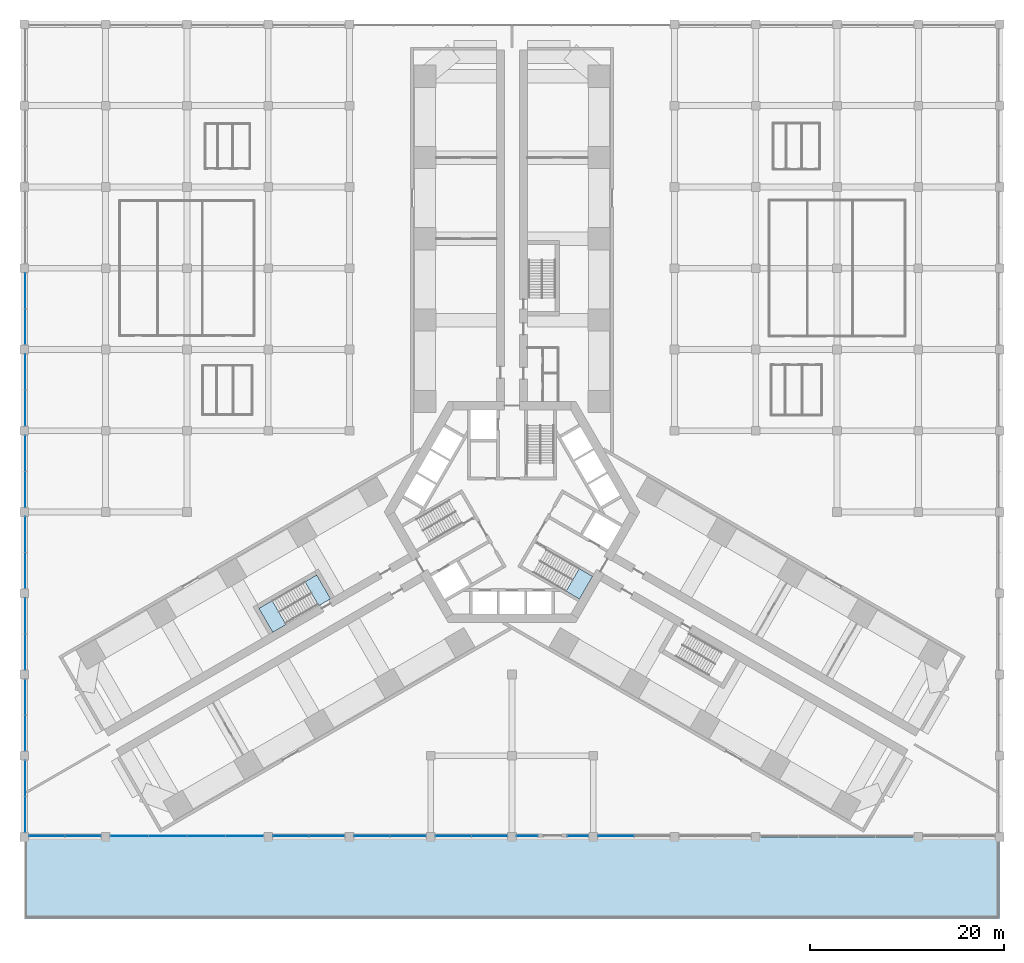
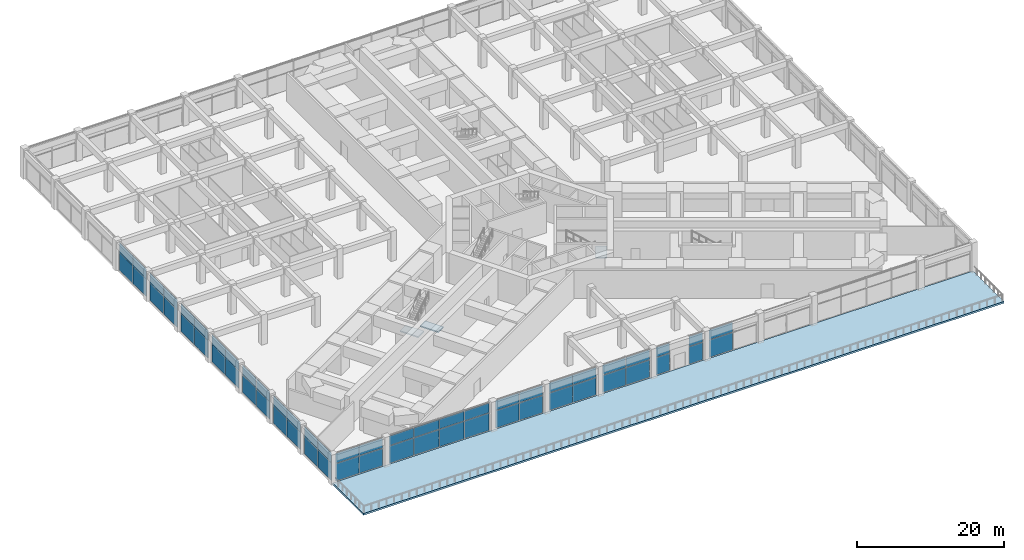
# One storey, part 24 of 36: 58 plates, 4 slabs, 17 elements without a shape of their own.
"""IFC4 building model written with IfcOpenShell, lengths in metres."""

from ifc_helpers import new_model, si_unit, direction, frame, origin, origin_2d, place, context, subcontext, project, spatial, polyline, rectangle, outline, extrude, material, layer, layer_set, type_object, element, aggregate, save


model = new_model("IFC4")

# Units and contexts
model_context = context("Model", 3, precision=1e-05, world=origin(), true_north=direction((0.0, 1.0)))
body_context = subcontext(model_context, "Body", "Model", "MODEL_VIEW")
ifc_project = project(units=[si_unit("LENGTHUNIT", "METRE"), si_unit("AREAUNIT", "SQUARE_METRE"), si_unit("VOLUMEUNIT", "CUBIC_METRE"), si_unit("PLANEANGLEUNIT", "RADIAN"), si_unit("MASSUNIT", "GRAM", prefix="KILO")], contexts=[model_context])

# Site, building, storey
site_placement = place(None, origin())
site = spatial("IfcSite", under=ifc_project, at=site_placement, CompositionType="ELEMENT")
building_placement = place(site_placement, origin())
building = spatial("IfcBuilding", under=site, at=building_placement, Name="Impinga Residences", CompositionType="ELEMENT")
storey_placement = place(building_placement, frame((0.0, 0.0, 6.0)))
storey = spatial("IfcBuildingStorey", under=building, at=storey_placement, Name="L01", CompositionType="ELEMENT", Elevation=6.0)

# Curtain wall, plates
ifc_material_1 = material(Name="Aluminium stick curtain wall", Category="aluminium")
curtain_wall_type = type_object("IfcCurtainWallType", Name="CW1 podium amenity curtain wall", PredefinedType="USERDEFINED", material=ifc_material_1)
curtain_wall_1_placement = place(storey_placement, origin())
curtain_wall_1 = element("IfcCurtainWall", 1, at=curtain_wall_1_placement, inside=storey, type_object=curtain_wall_type, Name="Curtain wall CW1 L01", ObjectType="STICK CURTAIN WALL", PredefinedType="USERDEFINED")
ifc_material_2 = material(Name="Clear double glazing", Category="glass")
ifc_layer_1 = layer(ifc_material_2, 0.028076171875)
ifc_layer_set_1 = layer_set([ifc_layer_1], Name="CW1-P clear double glazed panel 28")
plate_type = type_object("IfcPlateType", Name="CW1-P clear double glazed panel 28", PredefinedType="CURTAIN_PANEL", material=ifc_layer_set_1)
plate_1_placement = place(storey_placement, frame((-50.300048828125, -31.258544921875, 0.06005859375), z_axis=(0.0, 0.0, 1.0), x_axis=(0.0, 1.0, 0.0)))
plate_1 = element("IfcPlate", 2, at=plate_1_placement, type_object=plate_type, Name="CW1 panel 1.1", PredefinedType="CURTAIN_PANEL", context=body_context, shape_type="SweptSolid", body=[
    extrude(rectangle(XDim=3.656982421875, YDim=0.028076171875, at=origin_2d()), origin(), (0.0, 0.0, 1.0), 2.909912109375),
])
plate_2_placement = place(storey_placement, frame((-50.300048828125, -31.258544921875, 3.02978515625), z_axis=(0.0, 0.0, 1.0), x_axis=(0.0, 1.0, 0.0)))
plate_2 = element("IfcPlate", 3, at=plate_2_placement, type_object=plate_type, Name="CW1 panel 1.2", PredefinedType="CURTAIN_PANEL", context=body_context, shape_type="SweptSolid", body=[
    extrude(rectangle(XDim=3.656982421875, YDim=0.028076171875, at=origin_2d()), origin(), (0.0, 0.0, 1.0), 1.610107421875),
])
plate_3_placement = place(storey_placement, frame((-50.300048828125, -27.54150390625, 0.06005859375), z_axis=(0.0, 0.0, 1.0), x_axis=(0.0, 1.0, 0.0)))
plate_3 = element("IfcPlate", 4, at=plate_3_placement, type_object=plate_type, Name="CW1 panel 2.1", PredefinedType="CURTAIN_PANEL", context=body_context, shape_type="SweptSolid", body=[
    extrude(rectangle(XDim=3.656982421875, YDim=0.028076171875, at=origin_2d()), origin(), (0.0, 0.0, 1.0), 2.909912109375),
])
plate_4_placement = place(storey_placement, frame((-50.300048828125, -27.54150390625, 3.02978515625), z_axis=(0.0, 0.0, 1.0), x_axis=(0.0, 1.0, 0.0)))
plate_4 = element("IfcPlate", 5, at=plate_4_placement, type_object=plate_type, Name="CW1 panel 2.2", PredefinedType="CURTAIN_PANEL", context=body_context, shape_type="SweptSolid", body=[
    extrude(rectangle(XDim=3.656982421875, YDim=0.028076171875, at=origin_2d()), origin(), (0.0, 0.0, 1.0), 1.610107421875),
])
aggregate(curtain_wall_1, [plate_1, plate_2, plate_3, plate_4])

curtain_wall_2_placement = place(storey_placement, origin())
curtain_wall_2 = element("IfcCurtainWall", 6, at=curtain_wall_2_placement, inside=storey, type_object=curtain_wall_type, Name="Curtain wall CW1 L01", ObjectType="STICK CURTAIN WALL", PredefinedType="USERDEFINED")
plate_5_placement = place(storey_placement, frame((-50.300048828125, -22.8583984375, 0.06005859375), z_axis=(0.0, 0.0, 1.0), x_axis=(0.0, 1.0, 0.0)))
plate_5 = element("IfcPlate", 7, at=plate_5_placement, type_object=plate_type, Name="CW1 panel 1.1", PredefinedType="CURTAIN_PANEL", context=body_context, shape_type="SweptSolid", body=[
    extrude(rectangle(XDim=3.656982421875, YDim=0.028076171875, at=origin_2d()), origin(), (0.0, 0.0, 1.0), 2.909912109375),
])
plate_6_placement = place(storey_placement, frame((-50.300048828125, -22.8583984375, 3.02978515625), z_axis=(0.0, 0.0, 1.0), x_axis=(0.0, 1.0, 0.0)))
plate_6 = element("IfcPlate", 8, at=plate_6_placement, type_object=plate_type, Name="CW1 panel 1.2", PredefinedType="CURTAIN_PANEL", context=body_context, shape_type="SweptSolid", body=[
    extrude(rectangle(XDim=3.656982421875, YDim=0.028076171875, at=origin_2d()), origin(), (0.0, 0.0, 1.0), 1.610107421875),
])
plate_7_placement = place(storey_placement, frame((-50.300048828125, -19.1416015625, 0.06005859375), z_axis=(0.0, 0.0, 1.0), x_axis=(0.0, 1.0, 0.0)))
plate_7 = element("IfcPlate", 9, at=plate_7_placement, type_object=plate_type, Name="CW1 panel 2.1", PredefinedType="CURTAIN_PANEL", context=body_context, shape_type="SweptSolid", body=[
    extrude(rectangle(XDim=3.656982421875, YDim=0.028076171875, at=origin_2d()), origin(), (0.0, 0.0, 1.0), 2.909912109375),
])
plate_8_placement = place(storey_placement, frame((-50.300048828125, -19.1416015625, 3.02978515625), z_axis=(0.0, 0.0, 1.0), x_axis=(0.0, 1.0, 0.0)))
plate_8 = element("IfcPlate", 10, at=plate_8_placement, type_object=plate_type, Name="CW1 panel 2.2", PredefinedType="CURTAIN_PANEL", context=body_context, shape_type="SweptSolid", body=[
    extrude(rectangle(XDim=3.656982421875, YDim=0.028076171875, at=origin_2d()), origin(), (0.0, 0.0, 1.0), 1.610107421875),
])
aggregate(curtain_wall_2, [plate_5, plate_6, plate_7, plate_8])

curtain_wall_3_placement = place(storey_placement, origin())
curtain_wall_3 = element("IfcCurtainWall", 11, at=curtain_wall_3_placement, inside=storey, type_object=curtain_wall_type, Name="Curtain wall CW1 L01", ObjectType="STICK CURTAIN WALL", PredefinedType="USERDEFINED")
plate_9_placement = place(storey_placement, frame((-50.300048828125, -14.45849609375, 0.06005859375), z_axis=(0.0, 0.0, 1.0), x_axis=(0.0, 1.0, 0.0)))
plate_9 = element("IfcPlate", 12, at=plate_9_placement, type_object=plate_type, Name="CW1 panel 1.1", PredefinedType="CURTAIN_PANEL", context=body_context, shape_type="SweptSolid", body=[
    extrude(rectangle(XDim=3.656982421875, YDim=0.028076171875, at=origin_2d()), origin(), (0.0, 0.0, 1.0), 2.909912109375),
])
plate_10_placement = place(storey_placement, frame((-50.300048828125, -14.45849609375, 3.02978515625), z_axis=(0.0, 0.0, 1.0), x_axis=(0.0, 1.0, 0.0)))
plate_10 = element("IfcPlate", 13, at=plate_10_placement, type_object=plate_type, Name="CW1 panel 1.2", PredefinedType="CURTAIN_PANEL", context=body_context, shape_type="SweptSolid", body=[
    extrude(rectangle(XDim=3.656982421875, YDim=0.028076171875, at=origin_2d()), origin(), (0.0, 0.0, 1.0), 1.610107421875),
])
plate_11_placement = place(storey_placement, frame((-50.300048828125, -10.741455078125, 0.06005859375), z_axis=(0.0, 0.0, 1.0), x_axis=(0.0, 1.0, 0.0)))
plate_11 = element("IfcPlate", 14, at=plate_11_placement, type_object=plate_type, Name="CW1 panel 2.1", PredefinedType="CURTAIN_PANEL", context=body_context, shape_type="SweptSolid", body=[
    extrude(rectangle(XDim=3.656982421875, YDim=0.028076171875, at=origin_2d()), origin(), (0.0, 0.0, 1.0), 2.909912109375),
])
plate_12_placement = place(storey_placement, frame((-50.300048828125, -10.741455078125, 3.02978515625), z_axis=(0.0, 0.0, 1.0), x_axis=(0.0, 1.0, 0.0)))
plate_12 = element("IfcPlate", 15, at=plate_12_placement, type_object=plate_type, Name="CW1 panel 2.2", PredefinedType="CURTAIN_PANEL", context=body_context, shape_type="SweptSolid", body=[
    extrude(rectangle(XDim=3.656982421875, YDim=0.028076171875, at=origin_2d()), origin(), (0.0, 0.0, 1.0), 1.610107421875),
])
aggregate(curtain_wall_3, [plate_9, plate_10, plate_11, plate_12])

curtain_wall_4_placement = place(storey_placement, origin())
curtain_wall_4 = element("IfcCurtainWall", 16, at=curtain_wall_4_placement, inside=storey, type_object=curtain_wall_type, Name="Curtain wall CW1 L01", ObjectType="STICK CURTAIN WALL", PredefinedType="USERDEFINED")
plate_13_placement = place(storey_placement, frame((-50.300048828125, -6.05859375, 0.06005859375), z_axis=(0.0, 0.0, 1.0), x_axis=(0.0, 1.0, 0.0)))
plate_13 = element("IfcPlate", 17, at=plate_13_placement, type_object=plate_type, Name="CW1 panel 1.1", PredefinedType="CURTAIN_PANEL", context=body_context, shape_type="SweptSolid", body=[
    extrude(rectangle(XDim=3.656982421875, YDim=0.028076171875, at=origin_2d()), origin(), (0.0, 0.0, 1.0), 2.909912109375),
])
plate_14_placement = place(storey_placement, frame((-50.300048828125, -6.05859375, 3.02978515625), z_axis=(0.0, 0.0, 1.0), x_axis=(0.0, 1.0, 0.0)))
plate_14 = element("IfcPlate", 18, at=plate_14_placement, type_object=plate_type, Name="CW1 panel 1.2", PredefinedType="CURTAIN_PANEL", context=body_context, shape_type="SweptSolid", body=[
    extrude(rectangle(XDim=3.656982421875, YDim=0.028076171875, at=origin_2d()), origin(), (0.0, 0.0, 1.0), 1.610107421875),
])
plate_15_placement = place(storey_placement, frame((-50.300048828125, -2.341552734375, 0.06005859375), z_axis=(0.0, 0.0, 1.0), x_axis=(0.0, 1.0, 0.0)))
plate_15 = element("IfcPlate", 19, at=plate_15_placement, type_object=plate_type, Name="CW1 panel 2.1", PredefinedType="CURTAIN_PANEL", context=body_context, shape_type="SweptSolid", body=[
    extrude(rectangle(XDim=3.656982421875, YDim=0.028076171875, at=origin_2d()), origin(), (0.0, 0.0, 1.0), 2.909912109375),
])
plate_16_placement = place(storey_placement, frame((-50.300048828125, -2.341552734375, 3.02978515625), z_axis=(0.0, 0.0, 1.0), x_axis=(0.0, 1.0, 0.0)))
plate_16 = element("IfcPlate", 20, at=plate_16_placement, type_object=plate_type, Name="CW1 panel 2.2", PredefinedType="CURTAIN_PANEL", context=body_context, shape_type="SweptSolid", body=[
    extrude(rectangle(XDim=3.656982421875, YDim=0.028076171875, at=origin_2d()), origin(), (0.0, 0.0, 1.0), 1.610107421875),
])
aggregate(curtain_wall_4, [plate_13, plate_14, plate_15, plate_16])

curtain_wall_5_placement = place(storey_placement, origin())
curtain_wall_5 = element("IfcCurtainWall", 21, at=curtain_wall_5_placement, inside=storey, type_object=curtain_wall_type, Name="Curtain wall CW1 L01", ObjectType="STICK CURTAIN WALL", PredefinedType="USERDEFINED")
plate_17_placement = place(storey_placement, frame((-50.300048828125, 2.341552734375, 0.06005859375), z_axis=(0.0, 0.0, 1.0), x_axis=(0.0, 1.0, 0.0)))
plate_17 = element("IfcPlate", 22, at=plate_17_placement, type_object=plate_type, Name="CW1 panel 1.1", PredefinedType="CURTAIN_PANEL", context=body_context, shape_type="SweptSolid", body=[
    extrude(rectangle(XDim=3.656982421875, YDim=0.028076171875, at=origin_2d()), origin(), (0.0, 0.0, 1.0), 2.909912109375),
])
plate_18_placement = place(storey_placement, frame((-50.300048828125, 2.341552734375, 3.02978515625), z_axis=(0.0, 0.0, 1.0), x_axis=(0.0, 1.0, 0.0)))
plate_18 = element("IfcPlate", 23, at=plate_18_placement, type_object=plate_type, Name="CW1 panel 1.2", PredefinedType="CURTAIN_PANEL", context=body_context, shape_type="SweptSolid", body=[
    extrude(rectangle(XDim=3.656982421875, YDim=0.028076171875, at=origin_2d()), origin(), (0.0, 0.0, 1.0), 1.610107421875),
])
plate_19_placement = place(storey_placement, frame((-50.300048828125, 6.05859375, 0.06005859375), z_axis=(0.0, 0.0, 1.0), x_axis=(0.0, 1.0, 0.0)))
plate_19 = element("IfcPlate", 24, at=plate_19_placement, type_object=plate_type, Name="CW1 panel 2.1", PredefinedType="CURTAIN_PANEL", context=body_context, shape_type="SweptSolid", body=[
    extrude(rectangle(XDim=3.656982421875, YDim=0.028076171875, at=origin_2d()), origin(), (0.0, 0.0, 1.0), 2.909912109375),
])
plate_20_placement = place(storey_placement, frame((-50.300048828125, 6.05859375, 3.02978515625), z_axis=(0.0, 0.0, 1.0), x_axis=(0.0, 1.0, 0.0)))
plate_20 = element("IfcPlate", 25, at=plate_20_placement, type_object=plate_type, Name="CW1 panel 2.2", PredefinedType="CURTAIN_PANEL", context=body_context, shape_type="SweptSolid", body=[
    extrude(rectangle(XDim=3.656982421875, YDim=0.028076171875, at=origin_2d()), origin(), (0.0, 0.0, 1.0), 1.610107421875),
])
aggregate(curtain_wall_5, [plate_17, plate_18, plate_19, plate_20])

curtain_wall_6_placement = place(storey_placement, origin())
curtain_wall_6 = element("IfcCurtainWall", 26, at=curtain_wall_6_placement, inside=storey, type_object=curtain_wall_type, Name="Curtain wall CW1 L01", ObjectType="STICK CURTAIN WALL", PredefinedType="USERDEFINED")
plate_21_placement = place(storey_placement, frame((-50.300048828125, 10.741455078125, 0.06005859375), z_axis=(0.0, 0.0, 1.0), x_axis=(0.0, 1.0, 0.0)))
plate_21 = element("IfcPlate", 27, at=plate_21_placement, type_object=plate_type, Name="CW1 panel 1.1", PredefinedType="CURTAIN_PANEL", context=body_context, shape_type="SweptSolid", body=[
    extrude(rectangle(XDim=3.656982421875, YDim=0.028076171875, at=origin_2d()), origin(), (0.0, 0.0, 1.0), 2.909912109375),
])
plate_22_placement = place(storey_placement, frame((-50.300048828125, 10.741455078125, 3.02978515625), z_axis=(0.0, 0.0, 1.0), x_axis=(0.0, 1.0, 0.0)))
plate_22 = element("IfcPlate", 28, at=plate_22_placement, type_object=plate_type, Name="CW1 panel 1.2", PredefinedType="CURTAIN_PANEL", context=body_context, shape_type="SweptSolid", body=[
    extrude(rectangle(XDim=3.656982421875, YDim=0.028076171875, at=origin_2d()), origin(), (0.0, 0.0, 1.0), 1.610107421875),
])
plate_23_placement = place(storey_placement, frame((-50.300048828125, 14.45849609375, 0.06005859375), z_axis=(0.0, 0.0, 1.0), x_axis=(0.0, 1.0, 0.0)))
plate_23 = element("IfcPlate", 29, at=plate_23_placement, type_object=plate_type, Name="CW1 panel 2.1", PredefinedType="CURTAIN_PANEL", context=body_context, shape_type="SweptSolid", body=[
    extrude(rectangle(XDim=3.656982421875, YDim=0.028076171875, at=origin_2d()), origin(), (0.0, 0.0, 1.0), 2.909912109375),
])
plate_24_placement = place(storey_placement, frame((-50.300048828125, 14.45849609375, 3.02978515625), z_axis=(0.0, 0.0, 1.0), x_axis=(0.0, 1.0, 0.0)))
plate_24 = element("IfcPlate", 30, at=plate_24_placement, type_object=plate_type, Name="CW1 panel 2.2", PredefinedType="CURTAIN_PANEL", context=body_context, shape_type="SweptSolid", body=[
    extrude(rectangle(XDim=3.656982421875, YDim=0.028076171875, at=origin_2d()), origin(), (0.0, 0.0, 1.0), 1.610107421875),
])
aggregate(curtain_wall_6, [plate_21, plate_22, plate_23, plate_24])

curtain_wall_7_placement = place(storey_placement, origin())
curtain_wall_7 = element("IfcCurtainWall", 31, at=curtain_wall_7_placement, inside=storey, type_object=curtain_wall_type, Name="Curtain wall CW1 L01", ObjectType="STICK CURTAIN WALL", PredefinedType="USERDEFINED")
plate_25_placement = place(storey_placement, frame((-50.300048828125, 19.1416015625, 0.06005859375), z_axis=(0.0, 0.0, 1.0), x_axis=(0.0, 1.0, 0.0)))
plate_25 = element("IfcPlate", 32, at=plate_25_placement, type_object=plate_type, Name="CW1 panel 1.1", PredefinedType="CURTAIN_PANEL", context=body_context, shape_type="SweptSolid", body=[
    extrude(rectangle(XDim=3.656982421875, YDim=0.028076171875, at=origin_2d()), origin(), (0.0, 0.0, 1.0), 2.909912109375),
])
plate_26_placement = place(storey_placement, frame((-50.300048828125, 19.1416015625, 3.02978515625), z_axis=(0.0, 0.0, 1.0), x_axis=(0.0, 1.0, 0.0)))
plate_26 = element("IfcPlate", 33, at=plate_26_placement, type_object=plate_type, Name="CW1 panel 1.2", PredefinedType="CURTAIN_PANEL", context=body_context, shape_type="SweptSolid", body=[
    extrude(rectangle(XDim=3.656982421875, YDim=0.028076171875, at=origin_2d()), origin(), (0.0, 0.0, 1.0), 1.610107421875),
])
plate_27_placement = place(storey_placement, frame((-50.300048828125, 22.8583984375, 0.06005859375), z_axis=(0.0, 0.0, 1.0), x_axis=(0.0, 1.0, 0.0)))
plate_27 = element("IfcPlate", 34, at=plate_27_placement, type_object=plate_type, Name="CW1 panel 2.1", PredefinedType="CURTAIN_PANEL", context=body_context, shape_type="SweptSolid", body=[
    extrude(rectangle(XDim=3.656982421875, YDim=0.028076171875, at=origin_2d()), origin(), (0.0, 0.0, 1.0), 2.909912109375),
])
plate_28_placement = place(storey_placement, frame((-50.300048828125, 22.8583984375, 3.02978515625), z_axis=(0.0, 0.0, 1.0), x_axis=(0.0, 1.0, 0.0)))
plate_28 = element("IfcPlate", 35, at=plate_28_placement, type_object=plate_type, Name="CW1 panel 2.2", PredefinedType="CURTAIN_PANEL", context=body_context, shape_type="SweptSolid", body=[
    extrude(rectangle(XDim=3.656982421875, YDim=0.028076171875, at=origin_2d()), origin(), (0.0, 0.0, 1.0), 1.610107421875),
])
aggregate(curtain_wall_7, [plate_25, plate_26, plate_27, plate_28])

curtain_wall_8_placement = place(storey_placement, origin())
curtain_wall_8 = element("IfcCurtainWall", 36, at=curtain_wall_8_placement, inside=storey, type_object=curtain_wall_type, Name="Curtain wall CW1 L01", ObjectType="STICK CURTAIN WALL", PredefinedType="USERDEFINED")
plate_29_placement = place(storey_placement, frame((10.741455078125, -33.5, 0.06005859375), z_axis=(0.0, 0.0, 1.0), x_axis=(-1.0, 0.0, 0.0)))
plate_29 = element("IfcPlate", 37, at=plate_29_placement, type_object=plate_type, Name="CW1 panel 2.1", PredefinedType="CURTAIN_PANEL", context=body_context, shape_type="SweptSolid", body=[
    extrude(rectangle(XDim=3.656982421875, YDim=0.028076171875, at=origin_2d()), origin(), (0.0, 0.0, 1.0), 2.909912109375),
])
plate_30_placement = place(storey_placement, frame((10.741455078125, -33.5, 3.02978515625), z_axis=(0.0, 0.0, 1.0), x_axis=(-1.0, 0.0, 0.0)))
plate_30 = element("IfcPlate", 38, at=plate_30_placement, type_object=plate_type, Name="CW1 panel 2.2", PredefinedType="CURTAIN_PANEL", context=body_context, shape_type="SweptSolid", body=[
    extrude(rectangle(XDim=3.656982421875, YDim=0.028076171875, at=origin_2d()), origin(), (0.0, 0.0, 1.0), 1.610107421875),
])
aggregate(curtain_wall_8, [plate_29, plate_30])

curtain_wall_9_placement = place(storey_placement, origin())
curtain_wall_9 = element("IfcCurtainWall", 39, at=curtain_wall_9_placement, inside=storey, type_object=curtain_wall_type, Name="Curtain wall CW1 L01", ObjectType="STICK CURTAIN WALL", PredefinedType="USERDEFINED")
plate_31_placement = place(storey_placement, frame((6.823486328125, -33.5, 0.06005859375), z_axis=(0.0, 0.0, 1.0), x_axis=(-1.0, 0.0, 0.0)))
plate_31 = element("IfcPlate", 40, at=plate_31_placement, type_object=plate_type, Name="CW1 panel 1.1", PredefinedType="CURTAIN_PANEL", context=body_context, shape_type="SweptSolid", body=[
    extrude(rectangle(XDim=2.126953125, YDim=0.028076171875, at=origin_2d()), origin(), (0.0, 0.0, 1.0), 2.909912109375),
])
plate_32_placement = place(storey_placement, frame((6.823486328125, -33.5, 3.02978515625), z_axis=(0.0, 0.0, 1.0), x_axis=(-1.0, 0.0, 0.0)))
plate_32 = element("IfcPlate", 41, at=plate_32_placement, type_object=plate_type, Name="CW1 panel 1.2", PredefinedType="CURTAIN_PANEL", context=body_context, shape_type="SweptSolid", body=[
    extrude(rectangle(XDim=2.126953125, YDim=0.028076171875, at=origin_2d()), origin(), (0.0, 0.0, 1.0), 1.610107421875),
])
aggregate(curtain_wall_9, [plate_31, plate_32])

curtain_wall_10_placement = place(storey_placement, origin())
curtain_wall_10 = element("IfcCurtainWall", 42, at=curtain_wall_10_placement, inside=storey, type_object=curtain_wall_type, Name="Curtain wall CW1 L01", ObjectType="STICK CURTAIN WALL", PredefinedType="USERDEFINED")
plate_33_placement = place(storey_placement, frame((1.576416015625, -33.5, 0.06005859375), z_axis=(0.0, 0.0, 1.0), x_axis=(-1.0, 0.0, 0.0)))
plate_33 = element("IfcPlate", 43, at=plate_33_placement, type_object=plate_type, Name="CW1 panel 1.1", PredefinedType="CURTAIN_PANEL", context=body_context, shape_type="SweptSolid", body=[
    extrude(rectangle(XDim=2.126953125, YDim=0.028076171875, at=origin_2d()), origin(), (0.0, 0.0, 1.0), 2.909912109375),
])
plate_34_placement = place(storey_placement, frame((1.576416015625, -33.5, 3.02978515625), z_axis=(0.0, 0.0, 1.0), x_axis=(-1.0, 0.0, 0.0)))
plate_34 = element("IfcPlate", 44, at=plate_34_placement, type_object=plate_type, Name="CW1 panel 1.2", PredefinedType="CURTAIN_PANEL", context=body_context, shape_type="SweptSolid", body=[
    extrude(rectangle(XDim=2.126953125, YDim=0.028076171875, at=origin_2d()), origin(), (0.0, 0.0, 1.0), 1.610107421875),
])
aggregate(curtain_wall_10, [plate_33, plate_34])

curtain_wall_11_placement = place(storey_placement, origin())
curtain_wall_11 = element("IfcCurtainWall", 45, at=curtain_wall_11_placement, inside=storey, type_object=curtain_wall_type, Name="Curtain wall CW1 L01", ObjectType="STICK CURTAIN WALL", PredefinedType="USERDEFINED")
plate_35_placement = place(storey_placement, frame((-2.341552734375, -33.5, 0.06005859375), z_axis=(0.0, 0.0, 1.0), x_axis=(-1.0, 0.0, 0.0)))
plate_35 = element("IfcPlate", 46, at=plate_35_placement, type_object=plate_type, Name="CW1 panel 1.1", PredefinedType="CURTAIN_PANEL", context=body_context, shape_type="SweptSolid", body=[
    extrude(rectangle(XDim=3.656982421875, YDim=0.028076171875, at=origin_2d()), origin(), (0.0, 0.0, 1.0), 2.909912109375),
])
plate_36_placement = place(storey_placement, frame((-2.341552734375, -33.5, 3.02978515625), z_axis=(0.0, 0.0, 1.0), x_axis=(-1.0, 0.0, 0.0)))
plate_36 = element("IfcPlate", 47, at=plate_36_placement, type_object=plate_type, Name="CW1 panel 1.2", PredefinedType="CURTAIN_PANEL", context=body_context, shape_type="SweptSolid", body=[
    extrude(rectangle(XDim=3.656982421875, YDim=0.028076171875, at=origin_2d()), origin(), (0.0, 0.0, 1.0), 1.610107421875),
])
plate_37_placement = place(storey_placement, frame((-6.05859375, -33.5, 0.06005859375), z_axis=(0.0, 0.0, 1.0), x_axis=(-1.0, 0.0, 0.0)))
plate_37 = element("IfcPlate", 48, at=plate_37_placement, type_object=plate_type, Name="CW1 panel 2.1", PredefinedType="CURTAIN_PANEL", context=body_context, shape_type="SweptSolid", body=[
    extrude(rectangle(XDim=3.656982421875, YDim=0.028076171875, at=origin_2d()), origin(), (0.0, 0.0, 1.0), 2.909912109375),
])
plate_38_placement = place(storey_placement, frame((-6.05859375, -33.5, 3.02978515625), z_axis=(0.0, 0.0, 1.0), x_axis=(-1.0, 0.0, 0.0)))
plate_38 = element("IfcPlate", 49, at=plate_38_placement, type_object=plate_type, Name="CW1 panel 2.2", PredefinedType="CURTAIN_PANEL", context=body_context, shape_type="SweptSolid", body=[
    extrude(rectangle(XDim=3.656982421875, YDim=0.028076171875, at=origin_2d()), origin(), (0.0, 0.0, 1.0), 1.610107421875),
])
aggregate(curtain_wall_11, [plate_35, plate_36, plate_37, plate_38])

curtain_wall_12_placement = place(storey_placement, origin())
curtain_wall_12 = element("IfcCurtainWall", 50, at=curtain_wall_12_placement, inside=storey, type_object=curtain_wall_type, Name="Curtain wall CW1 L01", ObjectType="STICK CURTAIN WALL", PredefinedType="USERDEFINED")
plate_39_placement = place(storey_placement, frame((-10.741455078125, -33.5, 0.06005859375), z_axis=(0.0, 0.0, 1.0), x_axis=(-1.0, 0.0, 0.0)))
plate_39 = element("IfcPlate", 51, at=plate_39_placement, type_object=plate_type, Name="CW1 panel 1.1", PredefinedType="CURTAIN_PANEL", context=body_context, shape_type="SweptSolid", body=[
    extrude(rectangle(XDim=3.656982421875, YDim=0.028076171875, at=origin_2d()), origin(), (0.0, 0.0, 1.0), 2.909912109375),
])
plate_40_placement = place(storey_placement, frame((-10.741455078125, -33.5, 3.02978515625), z_axis=(0.0, 0.0, 1.0), x_axis=(-1.0, 0.0, 0.0)))
plate_40 = element("IfcPlate", 52, at=plate_40_placement, type_object=plate_type, Name="CW1 panel 1.2", PredefinedType="CURTAIN_PANEL", context=body_context, shape_type="SweptSolid", body=[
    extrude(rectangle(XDim=3.656982421875, YDim=0.028076171875, at=origin_2d()), origin(), (0.0, 0.0, 1.0), 1.610107421875),
])
plate_41_placement = place(storey_placement, frame((-14.45849609375, -33.5, 0.06005859375), z_axis=(0.0, 0.0, 1.0), x_axis=(-1.0, 0.0, 0.0)))
plate_41 = element("IfcPlate", 53, at=plate_41_placement, type_object=plate_type, Name="CW1 panel 2.1", PredefinedType="CURTAIN_PANEL", context=body_context, shape_type="SweptSolid", body=[
    extrude(rectangle(XDim=3.656982421875, YDim=0.028076171875, at=origin_2d()), origin(), (0.0, 0.0, 1.0), 2.909912109375),
])
plate_42_placement = place(storey_placement, frame((-14.45849609375, -33.5, 3.02978515625), z_axis=(0.0, 0.0, 1.0), x_axis=(-1.0, 0.0, 0.0)))
plate_42 = element("IfcPlate", 54, at=plate_42_placement, type_object=plate_type, Name="CW1 panel 2.2", PredefinedType="CURTAIN_PANEL", context=body_context, shape_type="SweptSolid", body=[
    extrude(rectangle(XDim=3.656982421875, YDim=0.028076171875, at=origin_2d()), origin(), (0.0, 0.0, 1.0), 1.610107421875),
])
aggregate(curtain_wall_12, [plate_39, plate_40, plate_41, plate_42])

curtain_wall_13_placement = place(storey_placement, origin())
curtain_wall_13 = element("IfcCurtainWall", 55, at=curtain_wall_13_placement, inside=storey, type_object=curtain_wall_type, Name="Curtain wall CW1 L01", ObjectType="STICK CURTAIN WALL", PredefinedType="USERDEFINED")
plate_43_placement = place(storey_placement, frame((-19.1416015625, -33.5, 0.06005859375), z_axis=(0.0, 0.0, 1.0), x_axis=(-1.0, 0.0, 0.0)))
plate_43 = element("IfcPlate", 56, at=plate_43_placement, type_object=plate_type, Name="CW1 panel 1.1", PredefinedType="CURTAIN_PANEL", context=body_context, shape_type="SweptSolid", body=[
    extrude(rectangle(XDim=3.656982421875, YDim=0.028076171875, at=origin_2d()), origin(), (0.0, 0.0, 1.0), 2.909912109375),
])
plate_44_placement = place(storey_placement, frame((-19.1416015625, -33.5, 3.02978515625), z_axis=(0.0, 0.0, 1.0), x_axis=(-1.0, 0.0, 0.0)))
plate_44 = element("IfcPlate", 57, at=plate_44_placement, type_object=plate_type, Name="CW1 panel 1.2", PredefinedType="CURTAIN_PANEL", context=body_context, shape_type="SweptSolid", body=[
    extrude(rectangle(XDim=3.656982421875, YDim=0.028076171875, at=origin_2d()), origin(), (0.0, 0.0, 1.0), 1.610107421875),
])
plate_45_placement = place(storey_placement, frame((-22.8583984375, -33.5, 0.06005859375), z_axis=(0.0, 0.0, 1.0), x_axis=(-1.0, 0.0, 0.0)))
plate_45 = element("IfcPlate", 58, at=plate_45_placement, type_object=plate_type, Name="CW1 panel 2.1", PredefinedType="CURTAIN_PANEL", context=body_context, shape_type="SweptSolid", body=[
    extrude(rectangle(XDim=3.656982421875, YDim=0.028076171875, at=origin_2d()), origin(), (0.0, 0.0, 1.0), 2.909912109375),
])
plate_46_placement = place(storey_placement, frame((-22.8583984375, -33.5, 3.02978515625), z_axis=(0.0, 0.0, 1.0), x_axis=(-1.0, 0.0, 0.0)))
plate_46 = element("IfcPlate", 59, at=plate_46_placement, type_object=plate_type, Name="CW1 panel 2.2", PredefinedType="CURTAIN_PANEL", context=body_context, shape_type="SweptSolid", body=[
    extrude(rectangle(XDim=3.656982421875, YDim=0.028076171875, at=origin_2d()), origin(), (0.0, 0.0, 1.0), 1.610107421875),
])
aggregate(curtain_wall_13, [plate_43, plate_44, plate_45, plate_46])

curtain_wall_14_placement = place(storey_placement, origin())
curtain_wall_14 = element("IfcCurtainWall", 60, at=curtain_wall_14_placement, inside=storey, type_object=curtain_wall_type, Name="Curtain wall CW1 L01", ObjectType="STICK CURTAIN WALL", PredefinedType="USERDEFINED")
plate_47_placement = place(storey_placement, frame((-27.65478515625, -33.5, 0.06005859375), z_axis=(0.0, 0.0, 1.0), x_axis=(-1.0, 0.0, 0.0)))
plate_47 = element("IfcPlate", 61, at=plate_47_placement, type_object=plate_type, Name="CW1 panel 1.1", PredefinedType="CURTAIN_PANEL", context=body_context, shape_type="SweptSolid", body=[
    extrude(rectangle(XDim=3.883544921875, YDim=0.028076171875, at=origin_2d()), origin(), (0.0, 0.0, 1.0), 2.909912109375),
])
plate_48_placement = place(storey_placement, frame((-27.65478515625, -33.5, 3.02978515625), z_axis=(0.0, 0.0, 1.0), x_axis=(-1.0, 0.0, 0.0)))
plate_48 = element("IfcPlate", 62, at=plate_48_placement, type_object=plate_type, Name="CW1 panel 1.2", PredefinedType="CURTAIN_PANEL", context=body_context, shape_type="SweptSolid", body=[
    extrude(rectangle(XDim=3.883544921875, YDim=0.028076171875, at=origin_2d()), origin(), (0.0, 0.0, 1.0), 1.610107421875),
])
plate_49_placement = place(storey_placement, frame((-31.61328125, -33.5, 0.06005859375), z_axis=(0.0, 0.0, 1.0), x_axis=(-1.0, 0.0, 0.0)))
plate_49 = element("IfcPlate", 63, at=plate_49_placement, type_object=plate_type, Name="CW1 panel 2.1", PredefinedType="CURTAIN_PANEL", context=body_context, shape_type="SweptSolid", body=[
    extrude(rectangle(XDim=3.91357421875, YDim=0.028076171875, at=origin_2d()), origin(), (0.0, 0.0, 1.0), 2.909912109375),
])
plate_50_placement = place(storey_placement, frame((-31.61328125, -33.5, 3.02978515625), z_axis=(0.0, 0.0, 1.0), x_axis=(-1.0, 0.0, 0.0)))
plate_50 = element("IfcPlate", 64, at=plate_50_placement, type_object=plate_type, Name="CW1 panel 2.2", PredefinedType="CURTAIN_PANEL", context=body_context, shape_type="SweptSolid", body=[
    extrude(rectangle(XDim=3.91357421875, YDim=0.028076171875, at=origin_2d()), origin(), (0.0, 0.0, 1.0), 1.610107421875),
])
plate_51_placement = place(storey_placement, frame((-35.586669921875, -33.5, 0.06005859375), z_axis=(0.0, 0.0, 1.0), x_axis=(-1.0, 0.0, 0.0)))
plate_51 = element("IfcPlate", 65, at=plate_51_placement, type_object=plate_type, Name="CW1 panel 3.1", PredefinedType="CURTAIN_PANEL", context=body_context, shape_type="SweptSolid", body=[
    extrude(rectangle(XDim=3.91357421875, YDim=0.028076171875, at=origin_2d()), origin(), (0.0, 0.0, 1.0), 2.909912109375),
])
plate_52_placement = place(storey_placement, frame((-35.586669921875, -33.5, 3.02978515625), z_axis=(0.0, 0.0, 1.0), x_axis=(-1.0, 0.0, 0.0)))
plate_52 = element("IfcPlate", 66, at=plate_52_placement, type_object=plate_type, Name="CW1 panel 3.2", PredefinedType="CURTAIN_PANEL", context=body_context, shape_type="SweptSolid", body=[
    extrude(rectangle(XDim=3.91357421875, YDim=0.028076171875, at=origin_2d()), origin(), (0.0, 0.0, 1.0), 1.610107421875),
])
plate_53_placement = place(storey_placement, frame((-39.545166015625, -33.5, 0.06005859375), z_axis=(0.0, 0.0, 1.0), x_axis=(-1.0, 0.0, 0.0)))
plate_53 = element("IfcPlate", 67, at=plate_53_placement, type_object=plate_type, Name="CW1 panel 4.1", PredefinedType="CURTAIN_PANEL", context=body_context, shape_type="SweptSolid", body=[
    extrude(rectangle(XDim=3.883544921875, YDim=0.028076171875, at=origin_2d()), origin(), (0.0, 0.0, 1.0), 2.909912109375),
])
plate_54_placement = place(storey_placement, frame((-39.545166015625, -33.5, 3.02978515625), z_axis=(0.0, 0.0, 1.0), x_axis=(-1.0, 0.0, 0.0)))
plate_54 = element("IfcPlate", 68, at=plate_54_placement, type_object=plate_type, Name="CW1 panel 4.2", PredefinedType="CURTAIN_PANEL", context=body_context, shape_type="SweptSolid", body=[
    extrude(rectangle(XDim=3.883544921875, YDim=0.028076171875, at=origin_2d()), origin(), (0.0, 0.0, 1.0), 1.610107421875),
])
aggregate(curtain_wall_14, [plate_47, plate_48, plate_49, plate_50, plate_51, plate_52, plate_53, plate_54])

curtain_wall_15_placement = place(storey_placement, origin())
curtain_wall_15 = element("IfcCurtainWall", 69, at=curtain_wall_15_placement, inside=storey, type_object=curtain_wall_type, Name="Curtain wall CW1 L01", ObjectType="STICK CURTAIN WALL", PredefinedType="USERDEFINED")
plate_55_placement = place(storey_placement, frame((-44.341552734375, -33.5, 0.06005859375), z_axis=(0.0, 0.0, 1.0), x_axis=(-1.0, 0.0, 0.0)))
plate_55 = element("IfcPlate", 70, at=plate_55_placement, type_object=plate_type, Name="CW1 panel 1.1", PredefinedType="CURTAIN_PANEL", context=body_context, shape_type="SweptSolid", body=[
    extrude(rectangle(XDim=3.656982421875, YDim=0.028076171875, at=origin_2d()), origin(), (0.0, 0.0, 1.0), 2.909912109375),
])
plate_56_placement = place(storey_placement, frame((-44.341552734375, -33.5, 3.02978515625), z_axis=(0.0, 0.0, 1.0), x_axis=(-1.0, 0.0, 0.0)))
plate_56 = element("IfcPlate", 71, at=plate_56_placement, type_object=plate_type, Name="CW1 panel 1.2", PredefinedType="CURTAIN_PANEL", context=body_context, shape_type="SweptSolid", body=[
    extrude(rectangle(XDim=3.656982421875, YDim=0.028076171875, at=origin_2d()), origin(), (0.0, 0.0, 1.0), 1.610107421875),
])
plate_57_placement = place(storey_placement, frame((-48.05859375, -33.5, 0.06005859375), z_axis=(0.0, 0.0, 1.0), x_axis=(-1.0, 0.0, 0.0)))
plate_57 = element("IfcPlate", 72, at=plate_57_placement, type_object=plate_type, Name="CW1 panel 2.1", PredefinedType="CURTAIN_PANEL", context=body_context, shape_type="SweptSolid", body=[
    extrude(rectangle(XDim=3.656982421875, YDim=0.028076171875, at=origin_2d()), origin(), (0.0, 0.0, 1.0), 2.909912109375),
])
plate_58_placement = place(storey_placement, frame((-48.05859375, -33.5, 3.02978515625), z_axis=(0.0, 0.0, 1.0), x_axis=(-1.0, 0.0, 0.0)))
plate_58 = element("IfcPlate", 73, at=plate_58_placement, type_object=plate_type, Name="CW1 panel 2.2", PredefinedType="CURTAIN_PANEL", context=body_context, shape_type="SweptSolid", body=[
    extrude(rectangle(XDim=3.656982421875, YDim=0.028076171875, at=origin_2d()), origin(), (0.0, 0.0, 1.0), 1.610107421875),
])
aggregate(curtain_wall_15, [plate_55, plate_56, plate_57, plate_58])

# Stair, slab
ifc_material_3 = material(Name="Concrete C40/50", Category="concrete")
stair_type_1 = type_object("IfcStairType", Name="STR core stair 5000 storey, 30 risers", PredefinedType="HALF_TURN_STAIR", material=ifc_material_3)
stair_1_placement = place(storey_placement, origin())
stair_1 = element("IfcStair", 74, at=stair_1_placement, inside=storey, type_object=stair_type_1, Name="Stair ST3 L01", PredefinedType="HALF_TURN_STAIR")
ifc_layer_2 = layer(ifc_material_3, 0.199951171875)
ifc_layer_set_2 = layer_set([ifc_layer_2], Name="Concrete C40/50")
slab_type_1 = type_object("IfcSlabType", Name="LS1 stair landing 200", PredefinedType="LANDING", material=ifc_layer_set_2)
slab_1_placement = place(storey_placement, frame((0.0, 0.0, 2.300048828125)))
slab_1 = element("IfcSlab", 75, at=slab_1_placement, type_object=slab_type_1, Name="ST3 landing 2", PredefinedType="LANDING", context=body_context, shape_type="SweptSolid", body=[
    extrude(outline(polyline([(6.9423828125, -5.855712890625), (5.59228515625, -8.19384765625), (6.970458984375, -8.98974609375), (8.320556640625, -6.6513671875), (6.9423828125, -5.855712890625)])), origin(), (0.0, 0.0, 1.0), 0.199951171875),
])
aggregate(stair_1, [slab_1])

# Stair, slabs
stair_type_2 = type_object("IfcStairType", Name="STR wing stair 5000 storey, 30 risers", PredefinedType="HALF_TURN_STAIR", material=ifc_material_3)
stair_2_placement = place(storey_placement, origin())
stair_2 = element("IfcStair", 76, at=stair_2_placement, inside=storey, type_object=stair_type_2, Name="Stair WS2 L01", PredefinedType="HALF_TURN_STAIR")
slab_2_placement = place(storey_placement, frame((0.0, 0.0, -0.199951171875)))
slab_2 = element("IfcSlab", 77, at=slab_2_placement, type_object=slab_type_1, Name="WS2 landing 1", PredefinedType="LANDING", context=body_context, shape_type="SweptSolid", body=[
    extrude(outline(polyline([(-18.754150390625, -8.980224609375), (-20.178955078125, -6.511962890625), (-21.400146484375, -7.217041015625), (-19.97509765625, -9.68505859375), (-18.754150390625, -8.980224609375)])), origin(), (0.0, 0.0, 1.0), 0.199951171875),
])
slab_3_placement = place(storey_placement, frame((0.0, 0.0, 2.300048828125)))
slab_3 = element("IfcSlab", 78, at=slab_3_placement, type_object=slab_type_1, Name="WS2 landing 2", PredefinedType="LANDING", context=body_context, shape_type="SweptSolid", body=[
    extrude(outline(polyline([(-23.3525390625, -11.635009765625), (-24.777587890625, -9.1669921875), (-26.154541015625, -9.9619140625), (-24.7294921875, -12.43017578125), (-23.3525390625, -11.635009765625)])), origin(), (0.0, 0.0, 1.0), 0.199951171875),
])
aggregate(stair_2, [slab_2, slab_3])

# Slab
ifc_material_4 = material(Name="Concrete C60/75", Category="concrete")
ifc_layer_3 = layer(ifc_material_4, 0.300048828125)
ifc_layer_set_3 = layer_set([ifc_layer_3], Name="Concrete C60/75")
slab_type_2 = type_object("IfcSlabType", Name="TS1 podium terrace slab 300", PredefinedType="ROOF", material=ifc_layer_set_3)
slab_4_placement = place(storey_placement, frame((0.0, 0.0, -0.300048828125)))
element("IfcSlab", 79, at=slab_4_placement, inside=storey, type_object=slab_type_2, Name="Podium terrace TS1 L01", PredefinedType="ROOF", context=body_context, shape_type="SweptSolid", body=[
    extrude(outline(polyline([(-50.39990234375, -33.60107421875), (50.39990234375, -33.60107421875), (50.39990234375, -42.0), (-50.39990234375, -42.0), (-50.39990234375, -33.60107421875)])), origin(), (0.0, 0.0, 1.0), 0.300048828125),
])

save(model, "model.ifc")
